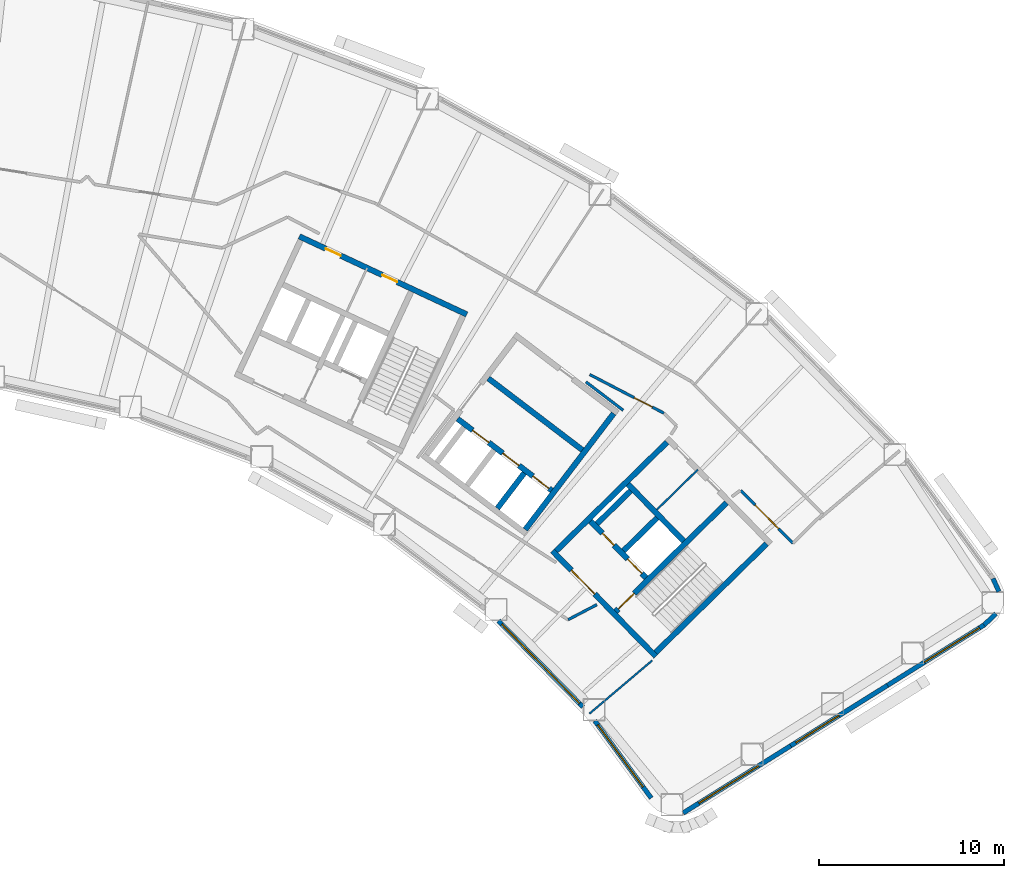
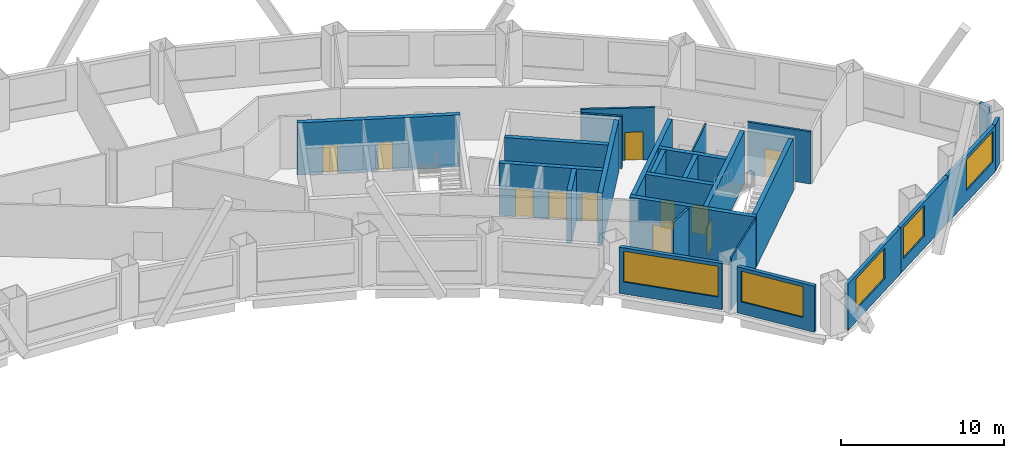
# One storey, part 7 of 12: 26 walls, 11 doors, 5 windows, 16 openings.
"""IFC4 building model written with IfcOpenShell, lengths in metres."""

from ifc_helpers import new_model, si_unit, direction, frame, frame_2d, origin, place, context, subcontext, project, spatial, rectangle, extrude, material, layer, layer_set, type_object, element, fill, save


model = new_model("IFC4")

# Units and contexts
model_context = context("Model", 3, precision=1e-05, world=origin(), true_north=direction((0.0, 1.0)))
body_context = subcontext(model_context, "Body", "Model", "MODEL_VIEW")
ifc_project = project(units=[si_unit("LENGTHUNIT", "METRE"), si_unit("AREAUNIT", "SQUARE_METRE"), si_unit("VOLUMEUNIT", "CUBIC_METRE"), si_unit("PLANEANGLEUNIT", "RADIAN"), si_unit("MASSUNIT", "GRAM", prefix="KILO")], contexts=[model_context])

# Site, building, storey
site_placement = place(None, origin())
site = spatial("IfcSite", under=ifc_project, at=site_placement, CompositionType="ELEMENT")
building_placement = place(site_placement, origin())
building = spatial("IfcBuilding", under=site, at=building_placement, Name="Tuul Gate Civic Tower", CompositionType="ELEMENT")
storey_placement = place(building_placement, frame((0.0, 0.0, 82.199951171875)))
storey = spatial("IfcBuildingStorey", under=building, at=storey_placement, Name="Level 18", CompositionType="ELEMENT", Elevation=82.199951171875)

# Wall, opening, door
ifc_material_1 = material(Name="Concrete C50/60", Category="concrete")
ifc_layer_1 = layer(ifc_material_1, 0.300048828125)
ifc_layer_set_1 = layer_set([ifc_layer_1], Name="Concrete C50/60")
wall_type_1 = type_object("IfcWallType", Name="Core wall C50/60", PredefinedType="SHEAR", material=ifc_layer_set_1)
wall_1_placement = place(storey_placement, frame((48.22509765625, -18.327880859375, 0.0), z_axis=(0.0, 0.0, 1.0), x_axis=(-0.700021979774, 0.714121297703, 0.0)))
wall_1 = element("IfcWall", 1, at=wall_1_placement, inside=storey, type_object=wall_type_1, Name="Core wall", PredefinedType="SHEAR", context=body_context, shape_type="SweptSolid", body=[
    extrude(rectangle(XDim=8.0, YDim=0.300048828125, at=frame_2d((4.0, 0.0))), origin(), (0.0, 0.0, 1.0), 3.900146484375),
])
opening_1_placement = place(wall_1_placement, frame((4.72509765625, 0.0, 0.0)))
opening_1 = element("IfcOpeningElement", 2, at=opening_1_placement, cuts=wall_1, Name="Opening LB-E1-LOBBY-1", PredefinedType="OPENING", context=body_context, shape_type="SweptSolid", body=[
    extrude(rectangle(XDim=1.800048828125, YDim=2.10009765625, at=frame_2d((0.89990234375, 1.050048828125))), frame((0.0, 0.16015625, 0.0), z_axis=(0.0, -1.0, 0.0), x_axis=(1.0, 0.0, 0.0)), (0.0, 0.0, 1.0), 0.320068359375),
])
ifc_material_2 = material(Name="Steel", Category="steel")
door_type_1 = type_object("IfcDoorType", Name="Lobby door", OperationType="DOUBLE_DOOR_SINGLE_SWING", PredefinedType="DOOR", material=ifc_material_2)
door_1_placement = place(opening_1_placement, frame((1.800048828125, 0.0, 0.0), z_axis=(0.0, 0.0, 1.0), x_axis=(-1.0, 0.0, 0.0)))
door_1 = element("IfcDoor", 3, at=door_1_placement, inside=storey, type_object=door_type_1, Name="Lobby door E1-LOBBY", OperationType="DOUBLE_DOOR_SINGLE_SWING", OverallHeight=2.10009765625, OverallWidth=1.800048828125, PredefinedType="DOOR", context=body_context, shape_type="SweptSolid", body=[
    extrude(rectangle(XDim=1.800048828125, YDim=2.10009765625, at=frame_2d((0.900146484375, 1.050048828125))), frame((0.0, 0.02490234375, 0.0), z_axis=(0.0, -1.0, 0.0), x_axis=(1.0, 0.0, 0.0)), (0.0, 0.0, 1.0), 0.050048828125),
])
fill(opening_1, door_1)

# Wall, openings, doors
wall_2_placement = place(storey_placement, frame((47.701904296875, -14.079833984375, 0.0), z_axis=(0.0, 0.0, 1.0), x_axis=(-0.700002721075, 0.714140175657, 0.0)))
wall_2 = element("IfcWall", 4, at=wall_2_placement, inside=storey, type_object=wall_type_1, Name="Core wall", PredefinedType="SHEAR", context=body_context, shape_type="SweptSolid", body=[
    extrude(rectangle(XDim=4.300048828125, YDim=0.300048828125, at=frame_2d((2.14990234375, 0.0))), origin(), (0.0, 0.0, 1.0), 3.900146484375),
])
opening_2_placement = place(wall_2_placement, frame((0.324951171875, 0.0, 0.0)))
opening_2 = element("IfcOpeningElement", 5, at=opening_2_placement, cuts=wall_2, Name="Opening LD-L4", PredefinedType="OPENING", context=body_context, shape_type="SweptSolid", body=[
    extrude(rectangle(XDim=1.10009765625, YDim=2.10009765625, at=frame_2d((0.550048828125, 1.050048828125))), frame((0.0, 0.16015625, 0.0), z_axis=(0.0, -1.0, 0.0), x_axis=(1.0, 0.0, 0.0)), (0.0, 0.0, 1.0), 0.320068359375),
])
opening_3_placement = place(wall_2_placement, frame((2.47509765625, 0.0, 0.0)))
opening_3 = element("IfcOpeningElement", 6, at=opening_3_placement, cuts=wall_2, Name="Opening FB-E1A2", PredefinedType="OPENING", context=body_context, shape_type="SweptSolid", body=[
    extrude(rectangle(XDim=0.89990234375, YDim=2.10009765625, at=frame_2d((0.449951171875, 1.050048828125))), frame((0.0, 0.16015625, 0.0), z_axis=(0.0, -1.0, 0.0), x_axis=(1.0, 0.0, 0.0)), (0.0, 0.0, 1.0), 0.320068359375),
])
ifc_material_3 = material(Name="Stainless steel", Category="steel")
door_type_2 = type_object("IfcDoorType", Name="Landing door", OperationType="DOUBLE_DOOR_SLIDING", PredefinedType="DOOR", material=ifc_material_3)
door_2_placement = place(opening_2_placement, origin())
door_2 = element("IfcDoor", 7, at=door_2_placement, inside=storey, type_object=door_type_2, Name="Low-rise lift L4 landing door", OperationType="DOUBLE_DOOR_SLIDING", OverallHeight=2.10009765625, OverallWidth=1.10009765625, PredefinedType="DOOR", context=body_context, shape_type="SweptSolid", body=[
    extrude(rectangle(XDim=1.10009765625, YDim=2.10009765625, at=frame_2d((0.550048828125, 1.050048828125))), frame((0.0, 0.02490234375, 0.0), z_axis=(0.0, -1.0, 0.0), x_axis=(1.0, 0.0, 0.0)), (0.0, 0.0, 1.0), 0.050048828125),
])
fill(opening_2, door_2)
ifc_material_4 = material(Name="Steel", Category="steel")
door_type_3 = type_object("IfcDoorType", Name="Store door", OperationType="NOTDEFINED", PredefinedType="DOOR", material=ifc_material_4)
door_3_placement = place(opening_3_placement, frame((0.89990234375, 0.0, 0.0), z_axis=(0.0, 0.0, 1.0), x_axis=(-1.0, 0.0, 0.0)))
door_3 = element("IfcDoor", 8, at=door_3_placement, inside=storey, type_object=door_type_3, Name="Store door E1A2", OperationType="SINGLE_SWING_LEFT", OverallHeight=2.10009765625, OverallWidth=0.89990234375, PredefinedType="DOOR", context=body_context, shape_type="SweptSolid", body=[
    extrude(rectangle(XDim=0.89990234375, YDim=2.10009765625, at=frame_2d((0.449951171875, 1.050048828125))), frame((0.0, 0.02490234375, 0.0), z_axis=(0.0, -1.0, 0.0), x_axis=(1.0, 0.0, 0.0)), (0.0, 0.0, 1.0), 0.050048828125),
])
fill(opening_3, door_3)

# Walls
wall_3_placement = place(storey_placement, frame((49.737060546875, -12.0849609375, 0.0), z_axis=(0.0, 0.0, 1.0), x_axis=(-0.700002721075, 0.714140175657, 0.0)))
element("IfcWall", 9, at=wall_3_placement, inside=storey, type_object=wall_type_1, Name="Core wall", PredefinedType="SHEAR", context=body_context, shape_type="SweptSolid", body=[
    extrude(rectangle(XDim=4.300048828125, YDim=0.300048828125, at=frame_2d((2.14990234375, 0.0))), origin(), (0.0, 0.0, 1.0), 3.900146484375),
])
wall_4_placement = place(storey_placement, frame((48.227294921875, -18.115966796875, 0.0), z_axis=(0.0, 0.0, 1.0), x_axis=(0.714105315431, 0.700038283577, 0.0)))
element("IfcWall", 10, at=wall_4_placement, inside=storey, type_object=wall_type_1, Name="Core wall", PredefinedType="SHEAR", context=body_context, shape_type="SweptSolid", body=[
    extrude(rectangle(XDim=8.400146484375, YDim=0.300048828125, at=frame_2d((4.2001953125, 0.0))), origin(), (0.0, 0.0, 1.0), 3.900146484375),
])

# Wall, opening, door
wall_5_placement = place(storey_placement, frame((46.05712890625, -15.902099609375, 0.0), z_axis=(0.0, 0.0, 1.0), x_axis=(0.714134086973, 0.700008932674, 0.0)))
wall_5 = element("IfcWall", 11, at=wall_5_placement, inside=storey, type_object=wall_type_1, Name="Core wall", PredefinedType="SHEAR", context=body_context, shape_type="SweptSolid", body=[
    extrude(rectangle(XDim=8.400146484375, YDim=0.300048828125, at=frame_2d((4.2001953125, 0.0))), origin(), (0.0, 0.0, 1.0), 3.900146484375),
])
opening_4_placement = place(wall_5_placement, frame((0.199951171875, 0.0, 0.0)))
opening_4 = element("IfcOpeningElement", 12, at=opening_4_placement, cuts=wall_5, Name="Opening SD-ST-3", PredefinedType="OPENING", context=body_context, shape_type="SweptSolid", body=[
    extrude(rectangle(XDim=1.199951171875, YDim=2.10009765625, at=frame_2d((0.60009765625, 1.050048828125))), frame((0.0, 0.16015625, 0.0), z_axis=(0.0, -1.0, 0.0), x_axis=(1.0, 0.0, 0.0)), (0.0, 0.0, 1.0), 0.320068359375),
])
ifc_material_5 = material(Name="Steel", Category="steel")
door_type_4 = type_object("IfcDoorType", Name="Stair door", OperationType="NOTDEFINED", PredefinedType="DOOR", material=ifc_material_5)
door_4_placement = place(opening_4_placement, origin())
door_4 = element("IfcDoor", 13, at=door_4_placement, inside=storey, type_object=door_type_4, Name="Stair door ST-3", OperationType="SINGLE_SWING_LEFT", OverallHeight=2.10009765625, OverallWidth=1.199951171875, PredefinedType="DOOR", context=body_context, shape_type="SweptSolid", body=[
    extrude(rectangle(XDim=1.199951171875, YDim=2.10009765625, at=frame_2d((0.60009765625, 1.050048828125))), frame((0.0, 0.02490234375, 0.0), z_axis=(0.0, -1.0, 0.0), x_axis=(1.0, 0.0, 0.0)), (0.0, 0.0, 1.0), 0.050048828125),
])
fill(opening_4, door_4)

# Walls
wall_6_placement = place(storey_placement, frame((46.47900390625, -12.617919921875, 0.0), z_axis=(0.0, 0.0, 1.0), x_axis=(0.71410944159, 0.700034074479, 0.0)))
element("IfcWall", 14, at=wall_6_placement, inside=storey, type_object=wall_type_1, Name="Core wall", PredefinedType="SHEAR", context=body_context, shape_type="SweptSolid", body=[
    extrude(rectangle(XDim=2.5498046875, YDim=0.300048828125, at=frame_2d((1.27490234375, 0.0))), origin(), (0.0, 0.0, 1.0), 3.900146484375),
])
wall_7_placement = place(storey_placement, frame((45.0439453125, -11.154052734375, 0.0), z_axis=(0.0, 0.0, 1.0), x_axis=(0.714108498262, 0.700035036773, 0.0)))
element("IfcWall", 15, at=wall_7_placement, inside=storey, type_object=wall_type_1, Name="Core wall", PredefinedType="SHEAR", context=body_context, shape_type="SweptSolid", body=[
    extrude(rectangle(XDim=2.550048828125, YDim=0.300048828125, at=frame_2d((1.27490234375, 0.0))), origin(), (0.0, 0.0, 1.0), 3.900146484375),
])
wall_8_placement = place(storey_placement, frame((42.837158203125, -12.616943359375, 0.0), z_axis=(0.0, 0.0, 1.0), x_axis=(0.714119844755, 0.700023461983, 0.0)))
element("IfcWall", 16, at=wall_8_placement, inside=storey, type_object=wall_type_1, Name="Core wall", PredefinedType="SHEAR", context=body_context, shape_type="SweptSolid", body=[
    extrude(rectangle(XDim=8.39990234375, YDim=0.300048828125, at=frame_2d((4.199951171875, 0.0))), origin(), (0.0, 0.0, 1.0), 3.900146484375),
])

# Wall, openings, doors
wall_9_placement = place(storey_placement, frame((37.993408203125, 0.181884765625, 0.0), z_axis=(0.0, 0.0, 1.0), x_axis=(-0.906310338845, 0.422612789327, 0.0)))
wall_9 = element("IfcWall", 17, at=wall_9_placement, inside=storey, type_object=wall_type_1, Name="Core wall", PredefinedType="SHEAR", context=body_context, shape_type="SweptSolid", body=[
    extrude(rectangle(XDim=9.999755859375, YDim=0.300048828125, at=frame_2d((5.0, 0.0))), origin(), (0.0, 0.0, 1.0), 3.900146484375),
])
opening_5_placement = place(wall_9_placement, frame((4.14990234375, 0.0, 0.0)))
opening_5 = element("IfcOpeningElement", 18, at=opening_5_placement, cuts=wall_9, Name="Opening E-D41", PredefinedType="OPENING", context=body_context, shape_type="SweptSolid", body=[
    extrude(rectangle(XDim=0.89990234375, YDim=2.10009765625, at=frame_2d((0.449951171875, 1.050048828125))), frame((0.0, 0.16015625, 0.0), z_axis=(0.0, -1.0, 0.0), x_axis=(1.0, 0.0, 0.0)), (0.0, 0.0, 1.0), 0.320068359375),
])
opening_6_placement = place(wall_9_placement, frame((7.52490234375, 0.0, 0.0)))
opening_6 = element("IfcOpeningElement", 19, at=opening_6_placement, cuts=wall_9, Name="Opening E-D42", PredefinedType="OPENING", context=body_context, shape_type="SweptSolid", body=[
    extrude(rectangle(XDim=0.89990234375, YDim=2.10009765625, at=frame_2d((0.449951171875, 1.050048828125))), frame((0.0, 0.16015625, 0.0), z_axis=(0.0, -1.0, 0.0), x_axis=(1.0, 0.0, 0.0)), (0.0, 0.0, 1.0), 0.320068359375),
])
ifc_material_6 = material(Name="Timber door leaf", Category="wood")
door_type_5 = type_object("IfcDoorType", Name="Door D09", OperationType="NOTDEFINED", PredefinedType="DOOR", material=ifc_material_6)
door_5_placement = place(opening_5_placement, origin())
door_5 = element("IfcDoor", 20, at=door_5_placement, inside=storey, type_object=door_type_5, Name="Door E-D41", OperationType="SINGLE_SWING_LEFT", OverallHeight=2.10009765625, OverallWidth=0.89990234375, PredefinedType="DOOR", context=body_context, shape_type="SweptSolid", body=[
    extrude(rectangle(XDim=0.89990234375, YDim=2.10009765625, at=frame_2d((0.449951171875, 1.050048828125))), frame((0.0, 0.02490234375, 0.0), z_axis=(0.0, -1.0, 0.0), x_axis=(1.0, 0.0, 0.0)), (0.0, 0.0, 1.0), 0.050048828125),
])
fill(opening_5, door_5)
door_6_placement = place(opening_6_placement, origin())
door_6 = element("IfcDoor", 21, at=door_6_placement, inside=storey, type_object=door_type_5, Name="Door E-D42", OperationType="SINGLE_SWING_RIGHT", OverallHeight=2.10009765625, OverallWidth=0.89990234375, PredefinedType="DOOR", context=body_context, shape_type="SweptSolid", body=[
    extrude(rectangle(XDim=0.89990234375, YDim=2.10009765625, at=frame_2d((0.449951171875, 1.050048828125))), frame((0.0, 0.02490234375, 0.0), z_axis=(0.0, -1.0, 0.0), x_axis=(1.0, 0.0, 0.0)), (0.0, 0.0, 1.0), 0.050048828125),
])
fill(opening_6, door_6)

# Walls
ifc_material_7 = material(Name="Gypsum board partition")
ifc_layer_2 = layer(ifc_material_7, 0.14990234375)
ifc_layer_set_2 = layer_set([ifc_layer_2], Name="Gypsum board partition")
wall_type_2 = type_object("IfcWallType", Name="Corridor wall P150", PredefinedType="PARTITIONING", material=ifc_layer_set_2)
wall_10_placement = place(storey_placement, frame((43.48095703125, -16.34619140625, 0.0), z_axis=(0.0, 0.0, 1.0), x_axis=(0.885572569937, 0.464501047765, 0.0)))
element("IfcWall", 22, at=wall_10_placement, inside=storey, type_object=wall_type_2, Name="p046", PredefinedType="PARTITIONING", context=body_context, shape_type="SweptSolid", body=[
    extrude(rectangle(XDim=1.75390625, YDim=0.14990234375, at=frame_2d((0.876953125, 0.0))), origin(), (0.0, 0.0, 1.0), 3.900146484375),
])
wall_11_placement = place(storey_placement, frame((44.446533203125, -3.47216796875, 0.0), z_axis=(0.0, 0.0, 1.0), x_axis=(0.79558004951, -0.605848483387, 0.0)))
element("IfcWall", 23, at=wall_11_placement, inside=storey, type_object=wall_type_2, Name="p060", PredefinedType="PARTITIONING", context=body_context, shape_type="SweptSolid", body=[
    extrude(rectangle(XDim=2.531005859375, YDim=0.14990234375, at=frame_2d((1.265625, 0.0))), origin(), (0.0, 0.0, 1.0), 3.900146484375),
])

# Wall, opening, door
wall_12_placement = place(storey_placement, frame((44.65283203125, -3.072509765625, 0.0), z_axis=(0.0, 0.0, 1.0), x_axis=(0.88685380694, -0.462050132687, 0.0)))
wall_12 = element("IfcWall", 24, at=wall_12_placement, inside=storey, type_object=wall_type_2, Name="p062", PredefinedType="PARTITIONING", context=body_context, shape_type="SweptSolid", body=[
    extrude(rectangle(XDim=4.529296875, YDim=0.14990234375, at=frame_2d((2.2646484375, 0.0))), origin(), (0.0, 0.0, 1.0), 3.900146484375),
])
opening_7_placement = place(wall_12_placement, frame((2.714599609375, 0.0, 0.0)))
opening_7 = element("IfcOpeningElement", 25, at=opening_7_placement, cuts=wall_12, Name="Opening E-D32", PredefinedType="OPENING", context=body_context, shape_type="SweptSolid", body=[
    extrude(rectangle(XDim=1.10009765625, YDim=2.10009765625, at=frame_2d((0.550048828125, 1.050048828125))), frame((0.0, 0.0849609375, 0.0), z_axis=(0.0, -1.0, 0.0), x_axis=(1.0, 0.0, 0.0)), (0.0, 0.0, 1.0), 0.169921875),
])
ifc_material_8 = material(Name="Timber door leaf", Category="wood")
door_type_6 = type_object("IfcDoorType", Name="Door D11", OperationType="NOTDEFINED", PredefinedType="DOOR", material=ifc_material_8)
door_7_placement = place(opening_7_placement, frame((1.10009765625, 0.0, 0.0), z_axis=(0.0, 0.0, 1.0), x_axis=(-1.0, 0.0, 0.0)))
door_7 = element("IfcDoor", 26, at=door_7_placement, inside=storey, type_object=door_type_6, Name="Door E-D32", OperationType="SINGLE_SWING_LEFT", OverallHeight=2.10009765625, OverallWidth=1.10009765625, PredefinedType="DOOR", context=body_context, shape_type="SweptSolid", body=[
    extrude(rectangle(XDim=1.10009765625, YDim=2.10009765625, at=frame_2d((0.550048828125, 1.050048828125))), frame((0.0, 0.02490234375, 0.0), z_axis=(0.0, -1.0, 0.0), x_axis=(1.0, 0.0, 0.0)), (0.0, 0.0, 1.0), 0.050048828125),
])
fill(opening_7, door_7)

wall_13_placement = place(storey_placement, frame((52.823974609375, -9.348876953125, 0.0), z_axis=(0.0, 0.0, 1.0), x_axis=(0.704493184161, -0.709710753386, 0.0)))
wall_13 = element("IfcWall", 27, at=wall_13_placement, inside=storey, type_object=wall_type_2, Name="p064", PredefinedType="PARTITIONING", context=body_context, shape_type="SweptSolid", body=[
    extrude(rectangle(XDim=4.024169921875, YDim=0.14990234375, at=frame_2d((2.01220703125, 0.0))), origin(), (0.0, 0.0, 1.0), 3.900146484375),
])
opening_8_placement = place(wall_13_placement, frame((1.112060546875, 0.0, 0.0)))
opening_8 = element("IfcOpeningElement", 28, at=opening_8_placement, cuts=wall_13, Name="Opening E-D26", PredefinedType="OPENING", context=body_context, shape_type="SweptSolid", body=[
    extrude(rectangle(XDim=1.800048828125, YDim=2.10009765625, at=frame_2d((0.89990234375, 1.050048828125))), frame((0.0, 0.0849609375, 0.0), z_axis=(0.0, -1.0, 0.0), x_axis=(1.0, 0.0, 0.0)), (0.0, 0.0, 1.0), 0.169921875),
])
ifc_material_9 = material(Name="Timber door leaf, double", Category="wood")
door_type_7 = type_object("IfcDoorType", Name="Door D18", OperationType="DOUBLE_DOOR_SINGLE_SWING", PredefinedType="DOOR", material=ifc_material_9)
door_8_placement = place(opening_8_placement, origin())
door_8 = element("IfcDoor", 29, at=door_8_placement, inside=storey, type_object=door_type_7, Name="Door E-D26", OperationType="DOUBLE_DOOR_SINGLE_SWING", OverallHeight=2.10009765625, OverallWidth=1.800048828125, PredefinedType="DOOR", context=body_context, shape_type="SweptSolid", body=[
    extrude(rectangle(XDim=1.800048828125, YDim=2.10009765625, at=frame_2d((0.89990234375, 1.050048828125))), frame((0.0, 0.02490234375, 0.0), z_axis=(0.0, -1.0, 0.0), x_axis=(1.0, 0.0, 0.0)), (0.0, 0.0, 1.0), 0.050048828125),
])
fill(opening_8, door_8)

# Walls
ifc_material_10 = material(Name="Precast concrete C40/50", Category="concrete")
ifc_layer_3 = layer(ifc_material_10, 0.25)
ifc_layer_set_3 = layer_set([ifc_layer_3], Name="Precast concrete C40/50")
wall_type_3 = type_object("IfcWallType", Name="External wall", PredefinedType="STANDARD", material=ifc_layer_set_3)
wall_14_placement = place(storey_placement, frame((65.99853515625, -16.634765625, 0.0), z_axis=(0.0, 0.0, 1.0), x_axis=(0.722211506859, 0.691672277426, 0.0)))
element("IfcWall", 30, at=wall_14_placement, inside=storey, type_object=wall_type_3, Name="External wall", PredefinedType="STANDARD", context=body_context, shape_type="SweptSolid", body=[
    extrude(rectangle(XDim=0.887451171875, YDim=0.25, at=frame_2d((0.44384765625, 0.0))), origin(), (0.0, 0.0, 1.0), 3.449951171875),
])
wall_15_placement = place(storey_placement, frame((66.803955078125, -14.821044921875, 0.0), z_axis=(0.0, 0.0, 1.0), x_axis=(-0.412280175097, 0.911057109748, 0.0)))
element("IfcWall", 31, at=wall_15_placement, inside=storey, type_object=wall_type_3, Name="External wall", PredefinedType="STANDARD", context=body_context, shape_type="SweptSolid", body=[
    extrude(rectangle(XDim=0.7734375, YDim=0.25, at=frame_2d((0.38671875, 0.0))), origin(), (0.0, 0.0, 1.0), 3.449951171875),
])

# Wall, opening, window
wall_16_placement = place(storey_placement, frame((39.70703125, -16.39599609375, 0.0), z_axis=(0.0, 0.0, 1.0), x_axis=(0.700096771337, -0.714047975114, 0.0)))
wall_16 = element("IfcWall", 32, at=wall_16_placement, inside=storey, type_object=wall_type_3, Name="External wall", PredefinedType="STANDARD", context=body_context, shape_type="SweptSolid", body=[
    extrude(rectangle(XDim=6.544921875, YDim=0.25, at=frame_2d((3.2724609375, 0.0))), origin(), (0.0, 0.0, 1.0), 3.449951171875),
])
opening_9_placement = place(wall_16_placement, frame((0.27490234375, 0.0, 0.89990234375)))
opening_9 = element("IfcOpeningElement", 33, at=opening_9_placement, cuts=wall_16, Name="Opening W26", PredefinedType="OPENING", context=body_context, shape_type="SweptSolid", body=[
    extrude(rectangle(XDim=6.0, YDim=2.300048828125, at=frame_2d((3.0, 1.14990234375))), frame((0.0, 0.135009765625, 0.0), z_axis=(0.0, -1.0, 0.0), x_axis=(1.0, 0.0, 0.0)), (0.0, 0.0, 1.0), 0.27001953125),
])
ifc_material_11 = material(Name="Glass", Category="glass")
window_type_1 = type_object("IfcWindowType", Name="Window W26 6000 x 2300", PartitioningType="SINGLE_PANEL", PredefinedType="WINDOW", material=ifc_material_11)
window_1_placement = place(opening_9_placement, origin())
window_1 = element("IfcWindow", 34, at=window_1_placement, inside=storey, type_object=window_type_1, Name="Window", OverallHeight=2.300048828125, OverallWidth=6.0, PartitioningType="SINGLE_PANEL", PredefinedType="WINDOW", context=body_context, shape_type="SweptSolid", body=[
    extrude(rectangle(XDim=6.0, YDim=2.300048828125, at=frame_2d((3.0, 1.14990234375))), frame((0.0, 0.030029296875, 0.0), z_axis=(0.0, -1.0, 0.0), x_axis=(1.0, 0.0, 0.0)), (0.0, 0.0, 1.0), 0.06005859375),
])
fill(opening_9, window_1)

wall_17_placement = place(storey_placement, frame((44.925537109375, -21.818115234375, 0.0), z_axis=(0.0, 0.0, 1.0), x_axis=(0.589865366451, -0.807501609572, 0.0)))
wall_17 = element("IfcWall", 35, at=wall_17_placement, inside=storey, type_object=wall_type_3, Name="External wall", PredefinedType="STANDARD", context=body_context, shape_type="SweptSolid", body=[
    extrude(rectangle(XDim=5.181396484375, YDim=0.25, at=frame_2d((2.5908203125, 0.0))), origin(), (0.0, 0.0, 1.0), 3.449951171875),
])
opening_10_placement = place(wall_17_placement, frame((0.27880859375, 0.0, 0.89990234375)))
opening_10 = element("IfcOpeningElement", 36, at=opening_10_placement, cuts=wall_17, Name="Opening W25", PredefinedType="OPENING", context=body_context, shape_type="SweptSolid", body=[
    extrude(rectangle(XDim=4.14990234375, YDim=2.300048828125, at=frame_2d((2.074951171875, 1.14990234375))), frame((0.0, 0.135009765625, 0.0), z_axis=(0.0, -1.0, 0.0), x_axis=(1.0, 0.0, 0.0)), (0.0, 0.0, 1.0), 0.27001953125),
])
ifc_material_12 = material(Name="Glass", Category="glass")
window_type_2 = type_object("IfcWindowType", Name="Window W25 4150 x 2300", PartitioningType="SINGLE_PANEL", PredefinedType="WINDOW", material=ifc_material_12)
window_2_placement = place(opening_10_placement, origin())
window_2 = element("IfcWindow", 37, at=window_2_placement, inside=storey, type_object=window_type_2, Name="Window", OverallHeight=2.300048828125, OverallWidth=4.14990234375, PartitioningType="SINGLE_PANEL", PredefinedType="WINDOW", context=body_context, shape_type="SweptSolid", body=[
    extrude(rectangle(XDim=4.14990234375, YDim=2.300048828125, at=frame_2d((2.074951171875, 1.14990234375))), frame((0.0, 0.030029296875, 0.0), z_axis=(0.0, -1.0, 0.0), x_axis=(1.0, 0.0, 0.0)), (0.0, 0.0, 1.0), 0.06005859375),
])
fill(opening_10, window_2)

wall_18_placement = place(storey_placement, frame((49.708984375, -26.810302734375, 0.0), z_axis=(0.0, 0.0, 1.0), x_axis=(0.848044243862, 0.529925429144, 0.0)))
wall_18 = element("IfcWall", 38, at=wall_18_placement, inside=storey, type_object=wall_type_3, Name="External wall", PredefinedType="STANDARD", context=body_context, shape_type="SweptSolid", body=[
    extrude(rectangle(XDim=6.866455078125, YDim=0.25, at=frame_2d((3.43310546875, 0.0))), origin(), (0.0, 0.0, 1.0), 3.449951171875),
])
opening_11_placement = place(wall_18_placement, frame((1.0, 0.0, 0.89990234375)))
opening_11 = element("IfcOpeningElement", 39, at=opening_11_placement, cuts=wall_18, Name="Opening W100", PredefinedType="OPENING", context=body_context, shape_type="SweptSolid", body=[
    extrude(rectangle(XDim=3.800048828125, YDim=2.300048828125, at=frame_2d((1.89990234375, 1.14990234375))), frame((0.0, 0.135009765625, 0.0), z_axis=(0.0, -1.0, 0.0), x_axis=(1.0, 0.0, 0.0)), (0.0, 0.0, 1.0), 0.27001953125),
])
ifc_material_13 = material(Name="Glass", Category="glass")
window_type_3 = type_object("IfcWindowType", Name="Window W100 3800 x 2300", PartitioningType="SINGLE_PANEL", PredefinedType="WINDOW", material=ifc_material_13)
window_3_placement = place(opening_11_placement, origin())
window_3 = element("IfcWindow", 40, at=window_3_placement, inside=storey, type_object=window_type_3, Name="Window", OverallHeight=2.300048828125, OverallWidth=3.800048828125, PartitioningType="SINGLE_PANEL", PredefinedType="WINDOW", context=body_context, shape_type="SweptSolid", body=[
    extrude(rectangle(XDim=3.800048828125, YDim=2.300048828125, at=frame_2d((1.89990234375, 1.14990234375))), frame((0.0, 0.030029296875, 0.0), z_axis=(0.0, -1.0, 0.0), x_axis=(1.0, 0.0, 0.0)), (0.0, 0.0, 1.0), 0.06005859375),
])
fill(opening_11, window_3)

wall_19_placement = place(storey_placement, frame((55.531982421875, -23.171630859375, 0.0), z_axis=(0.0, 0.0, 1.0), x_axis=(0.848053758074, 0.529910203164, 0.0)))
wall_19 = element("IfcWall", 41, at=wall_19_placement, inside=storey, type_object=wall_type_3, Name="External wall", PredefinedType="STANDARD", context=body_context, shape_type="SweptSolid", body=[
    extrude(rectangle(XDim=6.182861328125, YDim=0.25, at=frame_2d((3.09130859375, 0.0))), origin(), (0.0, 0.0, 1.0), 3.449951171875),
])
opening_12_placement = place(wall_19_placement, frame((0.330078125, 0.0, 0.89990234375)))
opening_12 = element("IfcOpeningElement", 42, at=opening_12_placement, cuts=wall_19, Name="Opening W30", PredefinedType="OPENING", context=body_context, shape_type="SweptSolid", body=[
    extrude(rectangle(XDim=2.75, YDim=2.300048828125, at=frame_2d((1.375, 1.14990234375))), frame((0.0, 0.135009765625, 0.0), z_axis=(0.0, -1.0, 0.0), x_axis=(1.0, 0.0, 0.0)), (0.0, 0.0, 1.0), 0.27001953125),
])
ifc_material_14 = material(Name="Glass", Category="glass")
window_type_4 = type_object("IfcWindowType", Name="Window 2750 x 2300", PartitioningType="SINGLE_PANEL", PredefinedType="WINDOW", material=ifc_material_14)
window_4_placement = place(opening_12_placement, origin())
window_4 = element("IfcWindow", 43, at=window_4_placement, inside=storey, type_object=window_type_4, Name="Window", OverallHeight=2.300048828125, OverallWidth=2.75, PartitioningType="SINGLE_PANEL", PredefinedType="WINDOW", context=body_context, shape_type="SweptSolid", body=[
    extrude(rectangle(XDim=2.75, YDim=2.300048828125, at=frame_2d((1.375, 1.14990234375))), frame((0.0, 0.030029296875, 0.0), z_axis=(0.0, -1.0, 0.0), x_axis=(1.0, 0.0, 0.0)), (0.0, 0.0, 1.0), 0.06005859375),
])
fill(opening_12, window_4)

wall_20_placement = place(storey_placement, frame((60.775390625, -19.895263671875, 0.0), z_axis=(0.0, 0.0, 1.0), x_axis=(0.848053758074, 0.529910203164, 0.0)))
wall_20 = element("IfcWall", 44, at=wall_20_placement, inside=storey, type_object=wall_type_3, Name="External wall", PredefinedType="STANDARD", context=body_context, shape_type="SweptSolid", body=[
    extrude(rectangle(XDim=6.182861328125, YDim=0.25, at=frame_2d((3.09130859375, 0.0))), origin(), (0.0, 0.0, 1.0), 3.449951171875),
])
opening_13_placement = place(wall_20_placement, frame((2.364013671875, 0.0, 0.89990234375)))
opening_13 = element("IfcOpeningElement", 45, at=opening_13_placement, cuts=wall_20, Name="Opening W74", PredefinedType="OPENING", context=body_context, shape_type="SweptSolid", body=[
    extrude(rectangle(XDim=3.5, YDim=2.300048828125, at=frame_2d((1.75, 1.14990234375))), frame((0.0, 0.135009765625, 0.0), z_axis=(0.0, -1.0, 0.0), x_axis=(1.0, 0.0, 0.0)), (0.0, 0.0, 1.0), 0.27001953125),
])
ifc_material_15 = material(Name="Glass", Category="glass")
window_type_5 = type_object("IfcWindowType", Name="Window 3500 x 2300", PartitioningType="SINGLE_PANEL", PredefinedType="WINDOW", material=ifc_material_15)
window_5_placement = place(opening_13_placement, origin())
window_5 = element("IfcWindow", 46, at=window_5_placement, inside=storey, type_object=window_type_5, Name="Window", OverallHeight=2.300048828125, OverallWidth=3.5, PartitioningType="SINGLE_PANEL", PredefinedType="WINDOW", context=body_context, shape_type="SweptSolid", body=[
    extrude(rectangle(XDim=3.5, YDim=2.300048828125, at=frame_2d((1.75, 1.14990234375))), frame((0.0, 0.030029296875, 0.0), z_axis=(0.0, -1.0, 0.0), x_axis=(1.0, 0.0, 0.0)), (0.0, 0.0, 1.0), 0.06005859375),
])
fill(opening_13, window_5)

# Wall, openings, doors
ifc_material_16 = material(Name="Concrete C40/50", Category="concrete")
ifc_layer_4 = layer(ifc_material_16, 0.300048828125)
ifc_layer_set_4 = layer_set([ifc_layer_4], Name="Concrete C40/50")
wall_type_4 = type_object("IfcWallType", Name="Lift shaft wall C40/50", PredefinedType="STANDARD", material=ifc_layer_set_4)
wall_21_placement = place(storey_placement, frame((42.5888671875, -9.34765625, 0.0), z_axis=(0.0, 0.0, 1.0), x_axis=(-0.795584062101, 0.605843214149, 0.0)))
wall_21 = element("IfcWall", 47, at=wall_21_placement, inside=storey, type_object=wall_type_4, Name="Shaft wall", PredefinedType="STANDARD", context=body_context, shape_type="SweptSolid", body=[
    extrude(rectangle(XDim=6.400146484375, YDim=0.300048828125, at=frame_2d((3.2001953125, 0.0))), origin(), (0.0, 0.0, 1.0), 3.900146484375),
])
opening_14_placement = place(wall_21_placement, frame((0.175048828125, 0.0, 0.0)))
opening_14 = element("IfcOpeningElement", 48, at=opening_14_placement, cuts=wall_21, Name="Opening LD-L1", PredefinedType="OPENING", context=body_context, shape_type="SweptSolid", body=[
    extrude(rectangle(XDim=1.10009765625, YDim=2.10009765625, at=frame_2d((0.550048828125, 1.050048828125))), frame((0.0, 0.16015625, 0.0), z_axis=(0.0, -1.0, 0.0), x_axis=(1.0, 0.0, 0.0)), (0.0, 0.0, 1.0), 0.320068359375),
])
opening_15_placement = place(wall_21_placement, frame((2.22509765625, 0.0, 0.0)))
opening_15 = element("IfcOpeningElement", 49, at=opening_15_placement, cuts=wall_21, Name="Opening LD-L2", PredefinedType="OPENING", context=body_context, shape_type="SweptSolid", body=[
    extrude(rectangle(XDim=1.10009765625, YDim=2.10009765625, at=frame_2d((0.550048828125, 1.050048828125))), frame((0.0, 0.16015625, 0.0), z_axis=(0.0, -1.0, 0.0), x_axis=(1.0, 0.0, 0.0)), (0.0, 0.0, 1.0), 0.320068359375),
])
opening_16_placement = place(wall_21_placement, frame((4.27490234375, 0.0, 0.0)))
opening_16 = element("IfcOpeningElement", 50, at=opening_16_placement, cuts=wall_21, Name="Opening LD-L3", PredefinedType="OPENING", context=body_context, shape_type="SweptSolid", body=[
    extrude(rectangle(XDim=1.10009765625, YDim=2.10009765625, at=frame_2d((0.550048828125, 1.050048828125))), frame((0.0, 0.16015625, 0.0), z_axis=(0.0, -1.0, 0.0), x_axis=(1.0, 0.0, 0.0)), (0.0, 0.0, 1.0), 0.320068359375),
])
door_9_placement = place(opening_14_placement, origin())
door_9 = element("IfcDoor", 51, at=door_9_placement, inside=storey, type_object=door_type_2, Name="Low-rise lift L1 landing door", OperationType="DOUBLE_DOOR_SLIDING", OverallHeight=2.10009765625, OverallWidth=1.10009765625, PredefinedType="DOOR", context=body_context, shape_type="SweptSolid", body=[
    extrude(rectangle(XDim=1.10009765625, YDim=2.10009765625, at=frame_2d((0.550048828125, 1.050048828125))), frame((0.0, 0.02490234375, 0.0), z_axis=(0.0, -1.0, 0.0), x_axis=(1.0, 0.0, 0.0)), (0.0, 0.0, 1.0), 0.050048828125),
])
fill(opening_14, door_9)
door_10_placement = place(opening_15_placement, origin())
door_10 = element("IfcDoor", 52, at=door_10_placement, inside=storey, type_object=door_type_2, Name="Low-rise lift L2 landing door", OperationType="DOUBLE_DOOR_SLIDING", OverallHeight=2.10009765625, OverallWidth=1.10009765625, PredefinedType="DOOR", context=body_context, shape_type="SweptSolid", body=[
    extrude(rectangle(XDim=1.10009765625, YDim=2.10009765625, at=frame_2d((0.550048828125, 1.050048828125))), frame((0.0, 0.02490234375, 0.0), z_axis=(0.0, -1.0, 0.0), x_axis=(1.0, 0.0, 0.0)), (0.0, 0.0, 1.0), 0.050048828125),
])
fill(opening_15, door_10)
door_11_placement = place(opening_16_placement, origin())
door_11 = element("IfcDoor", 53, at=door_11_placement, inside=storey, type_object=door_type_2, Name="Low-rise lift L3 landing door", OperationType="DOUBLE_DOOR_SLIDING", OverallHeight=2.10009765625, OverallWidth=1.10009765625, PredefinedType="DOOR", context=body_context, shape_type="SweptSolid", body=[
    extrude(rectangle(XDim=1.10009765625, YDim=2.10009765625, at=frame_2d((0.550048828125, 1.050048828125))), frame((0.0, 0.02490234375, 0.0), z_axis=(0.0, -1.0, 0.0), x_axis=(1.0, 0.0, 0.0)), (0.0, 0.0, 1.0), 0.050048828125),
])
fill(opening_16, door_11)

# Walls
wall_22_placement = place(storey_placement, frame((44.254638671875, -7.15966796875, 0.0), z_axis=(0.0, 0.0, 1.0), x_axis=(-0.795565675562, 0.605867358312, 0.0)))
element("IfcWall", 54, at=wall_22_placement, inside=storey, type_object=wall_type_4, Name="Shaft wall", PredefinedType="STANDARD", context=body_context, shape_type="SweptSolid", body=[
    extrude(rectangle(XDim=6.400146484375, YDim=0.300048828125, at=frame_2d((3.2001953125, 0.0))), origin(), (0.0, 0.0, 1.0), 3.900146484375),
])
wall_23_placement = place(storey_placement, frame((41.163330078125, -11.46728515625, 0.0), z_axis=(0.0, 0.0, 1.0), x_axis=(0.605784332699, 0.795628897324, 0.0)))
element("IfcWall", 55, at=wall_23_placement, inside=storey, type_object=wall_type_4, Name="Shaft wall", PredefinedType="STANDARD", context=body_context, shape_type="SweptSolid", body=[
    extrude(rectangle(XDim=7.89990234375, YDim=0.300048828125, at=frame_2d((3.949951171875, 0.0))), origin(), (0.0, 0.0, 1.0), 3.900146484375),
])
wall_24_placement = place(storey_placement, frame((39.65185546875, -10.31640625, 0.0), z_axis=(0.0, 0.0, 1.0), x_axis=(0.605745892068, 0.79565816419, 0.0)))
element("IfcWall", 56, at=wall_24_placement, inside=storey, type_object=wall_type_4, Name="Shaft wall", PredefinedType="STANDARD", context=body_context, shape_type="SweptSolid", body=[
    extrude(rectangle(XDim=2.400146484375, YDim=0.300048828125, at=frame_2d((1.2001953125, 0.0))), origin(), (0.0, 0.0, 1.0), 3.900146484375),
])
ifc_material_17 = material(Name="Gypsum board partition")
ifc_layer_5 = layer(ifc_material_17, 0.10009765625)
ifc_layer_set_5 = layer_set([ifc_layer_5], Name="Gypsum board partition")
wall_type_5 = type_object("IfcWallType", Name="Partition P100", PredefinedType="PARTITIONING", material=ifc_layer_set_5)
wall_25_placement = place(storey_placement, frame((44.636962890625, -21.431396484375, 0.0), z_axis=(0.0, 0.0, 1.0), x_axis=(0.762857043272, 0.646567190267, 0.0)))
element("IfcWall", 57, at=wall_25_placement, inside=storey, type_object=wall_type_5, Name="p002", PredefinedType="PARTITIONING", context=body_context, shape_type="SweptSolid", body=[
    extrude(rectangle(XDim=4.446533203125, YDim=0.10009765625, at=frame_2d((2.22314453125, 0.0))), origin(), (0.0, 0.0, 1.0), 3.900146484375),
])
wall_26_placement = place(storey_placement, frame((48.28662109375, -10.390869140625, 0.0), z_axis=(0.0, 0.0, 1.0), x_axis=(0.714159293908, 0.699983216173, 0.0)))
element("IfcWall", 58, at=wall_26_placement, inside=storey, type_object=wall_type_5, Name="bE1-BAND-0", PredefinedType="PARTITIONING", context=body_context, shape_type="SweptSolid", body=[
    extrude(rectangle(XDim=3.099853515625, YDim=0.10009765625, at=frame_2d((1.5498046875, 0.0))), origin(), (0.0, 0.0, 1.0), 3.900146484375),
])

save(model, "model.ifc")
